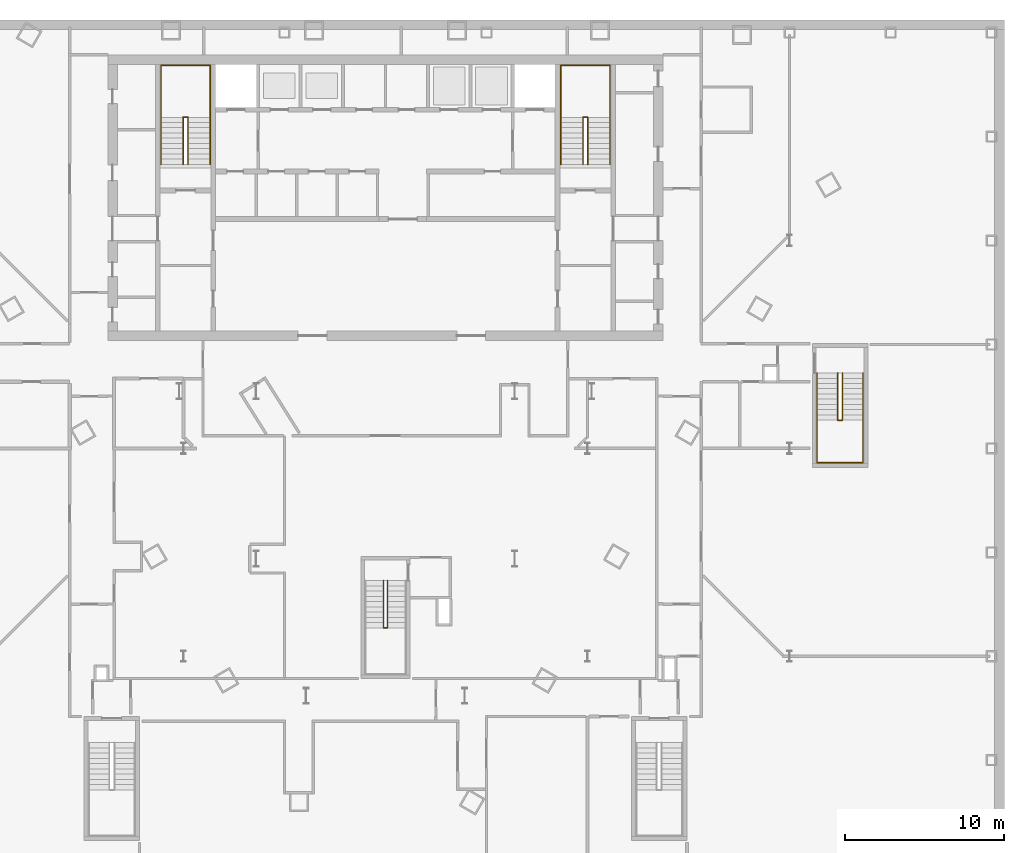
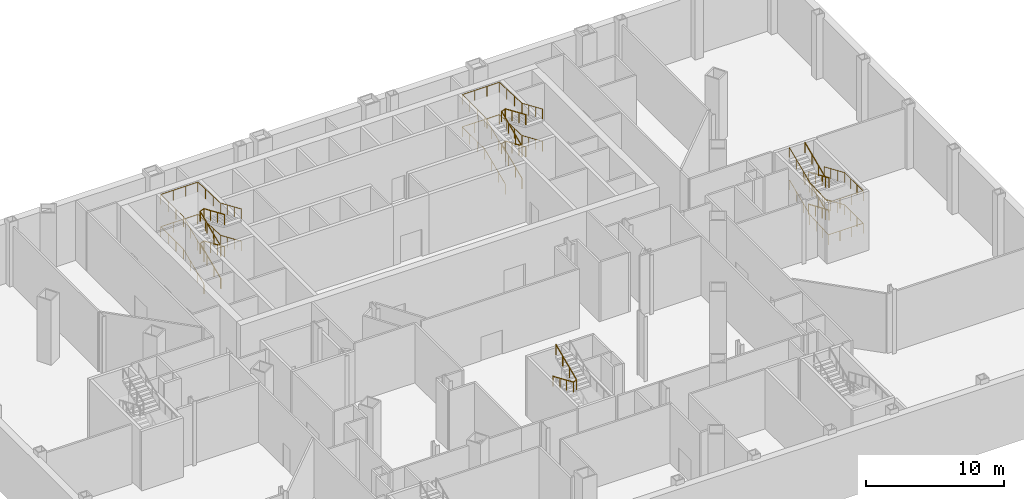
# One storey, part 17 of 18: 13 railings.
"""IFC4 building model written with IfcOpenShell, lengths in metres."""

from ifc_helpers import new_model, si_unit, direction, frame, origin, origin_2d, place, context, subcontext, project, spatial, circle, extrude, material, type_object, element, save


model = new_model("IFC4")

# Units and contexts
model_context = context("Model", 3, precision=1e-05, world=origin(), true_north=direction((0.0, 1.0)))
body_context = subcontext(model_context, "Body", "Model", "MODEL_VIEW")
ifc_project = project(units=[si_unit("LENGTHUNIT", "METRE"), si_unit("AREAUNIT", "SQUARE_METRE"), si_unit("VOLUMEUNIT", "CUBIC_METRE"), si_unit("PLANEANGLEUNIT", "RADIAN"), si_unit("MASSUNIT", "GRAM", prefix="KILO")], contexts=[model_context])

# Site, building, storey
site_placement = place(None, origin())
site = spatial("IfcSite", under=ifc_project, at=site_placement, CompositionType="ELEMENT")
building_placement = place(site_placement, origin())
building = spatial("IfcBuilding", under=site, at=building_placement, Name="Njiva Tower", CompositionType="ELEMENT")
storey_placement = place(building_placement, frame((0.0, 0.0, -5.7)))
storey = spatial("IfcBuildingStorey", under=building, at=storey_placement, Name="B1", CompositionType="ELEMENT", Elevation=-5.7)

# Railings
ifc_material = material(Name="Stainless steel", Category="steel")
railing_type = type_object("IfcRailingType", Name="RL1 Stair handrail 900", PredefinedType="HANDRAIL", material=ifc_material)
railing_1_placement = place(storey_placement, frame((-14.15, 11.1, 0.1425)))
element("IfcRailing", 1, at=railing_1_placement, inside=storey, type_object=railing_type, Name="Stair A handrail", PredefinedType="HANDRAIL", context=body_context, shape_type="SweptSolid", body=[
    extrude(circle(Radius=0.024, at=origin_2d()), frame((0.0, 0.0, 0.876), z_axis=(0.0, 0.918062353536, 0.3964360163), x_axis=(-1.0, 0.0, 0.0)), (0.0, 0.0, 1.0), 3.2351),
    extrude(circle(Radius=0.024, at=origin_2d()), frame((0.0, 2.97, 2.1585), z_axis=(0.0, 1.0, 0.0), x_axis=(-1.0, 0.0, 0.0)), (0.0, 0.0, 1.0), 3.28),
    extrude(circle(Radius=0.024, at=origin_2d()), frame((0.0, 6.25, 2.1585), z_axis=(1.0, 0.0, 0.0), x_axis=(0.0, 1.0, 0.0)), (0.0, 0.0, 1.0), 3.1),
    extrude(circle(Radius=0.024, at=origin_2d()), frame((3.1, 6.25, 2.1585), z_axis=(0.0, -0.999057594557, 0.043404179032), x_axis=(1.0, 0.0, 0.0)), (0.0, 0.0, 1.0), 3.2831),
    extrude(circle(Radius=0.024, at=origin_2d()), frame((3.1, 2.97, 2.301), z_axis=(0.0, -0.918062353536, 0.3964360163), x_axis=(1.0, 0.0, 0.0)), (0.0, 0.0, 1.0), 3.2351),
    extrude(circle(Radius=0.021, at=origin_2d()), origin(), (0.0, 0.0, 1.0), 0.852),
    extrude(circle(Radius=0.021, at=origin_2d()), frame((0.0, 0.99, 0.4275)), (0.0, 0.0, 1.0), 0.852),
    extrude(circle(Radius=0.021, at=origin_2d()), frame((0.0, 1.98, 0.855)), (0.0, 0.0, 1.0), 0.852),
    extrude(circle(Radius=0.021, at=origin_2d()), frame((0.0, 2.97, 1.2825)), (0.0, 0.0, 1.0), 0.852),
    extrude(circle(Radius=0.021, at=origin_2d()), frame((0.0, 4.0633, 1.2825)), (0.0, 0.0, 1.0), 0.852),
    extrude(circle(Radius=0.021, at=origin_2d()), frame((0.0, 5.1567, 1.2825)), (0.0, 0.0, 1.0), 0.852),
    extrude(circle(Radius=0.021, at=origin_2d()), frame((0.0, 6.25, 1.2825)), (0.0, 0.0, 1.0), 0.852),
    extrude(circle(Radius=0.021, at=origin_2d()), frame((1.0333, 6.25, 1.2825)), (0.0, 0.0, 1.0), 0.852),
    extrude(circle(Radius=0.021, at=origin_2d()), frame((2.0667, 6.25, 1.2825)), (0.0, 0.0, 1.0), 0.852),
    extrude(circle(Radius=0.021, at=origin_2d()), frame((3.1, 6.25, 1.2825)), (0.0, 0.0, 1.0), 0.852),
    extrude(circle(Radius=0.021, at=origin_2d()), frame((3.1, 5.1567, 1.33)), (0.0, 0.0, 1.0), 0.852),
    extrude(circle(Radius=0.021, at=origin_2d()), frame((3.1, 4.0633, 1.3775)), (0.0, 0.0, 1.0), 0.852),
    extrude(circle(Radius=0.021, at=origin_2d()), frame((3.1, 2.97, 1.425)), (0.0, 0.0, 1.0), 0.852),
    extrude(circle(Radius=0.021, at=origin_2d()), frame((3.1, 1.98, 1.8525)), (0.0, 0.0, 1.0), 0.852),
    extrude(circle(Radius=0.021, at=origin_2d()), frame((3.1, 0.99, 2.28)), (0.0, 0.0, 1.0), 0.852),
    extrude(circle(Radius=0.021, at=origin_2d()), frame((3.1, 0.0, 2.7075)), (0.0, 0.0, 1.0), 0.852),
])
railing_2_placement = place(storey_placement, frame((-12.75, 11.1, 0.1425)))
element("IfcRailing", 2, at=railing_2_placement, inside=storey, type_object=railing_type, Name="Stair A handrail", PredefinedType="HANDRAIL", context=body_context, shape_type="SweptSolid", body=[
    extrude(circle(Radius=0.024, at=origin_2d()), frame((0.0, 0.0, 0.876), z_axis=(0.0, 0.918062353536, 0.3964360163), x_axis=(-1.0, 0.0, 0.0)), (0.0, 0.0, 1.0), 3.2351),
    extrude(circle(Radius=0.024, at=origin_2d()), frame((0.0, 2.97, 2.1585), z_axis=(0.903277504354, 0.0, 0.429056814568), x_axis=(0.0, 1.0, 0.0)), (0.0, 0.0, 1.0), 0.3321),
    extrude(circle(Radius=0.024, at=origin_2d()), frame((0.3, 2.97, 2.301), z_axis=(0.0, -0.918062353536, 0.3964360163), x_axis=(1.0, 0.0, 0.0)), (0.0, 0.0, 1.0), 3.2351),
    extrude(circle(Radius=0.021, at=origin_2d()), origin(), (0.0, 0.0, 1.0), 0.852),
    extrude(circle(Radius=0.021, at=origin_2d()), frame((0.0, 0.99, 0.4275)), (0.0, 0.0, 1.0), 0.852),
    extrude(circle(Radius=0.021, at=origin_2d()), frame((0.0, 1.98, 0.855)), (0.0, 0.0, 1.0), 0.852),
    extrude(circle(Radius=0.021, at=origin_2d()), frame((0.0, 2.97, 1.2825)), (0.0, 0.0, 1.0), 0.852),
    extrude(circle(Radius=0.021, at=origin_2d()), frame((0.3, 2.97, 1.425)), (0.0, 0.0, 1.0), 0.852),
    extrude(circle(Radius=0.021, at=origin_2d()), frame((0.3, 1.98, 1.8525)), (0.0, 0.0, 1.0), 0.852),
    extrude(circle(Radius=0.021, at=origin_2d()), frame((0.3, 0.99, 2.28)), (0.0, 0.0, 1.0), 0.852),
    extrude(circle(Radius=0.021, at=origin_2d()), frame((0.3, 0.0, 2.7075)), (0.0, 0.0, 1.0), 0.852),
])
railing_3_placement = place(storey_placement, frame((-14.15, 11.1, 2.9925)))
element("IfcRailing", 3, at=railing_3_placement, inside=storey, type_object=railing_type, Name="Stair A handrail", PredefinedType="HANDRAIL", context=body_context, shape_type="SweptSolid", body=[
    extrude(circle(Radius=0.024, at=origin_2d()), frame((0.0, 0.0, 0.876), z_axis=(0.0, 0.918062353536, 0.3964360163), x_axis=(-1.0, 0.0, 0.0)), (0.0, 0.0, 1.0), 3.2351),
    extrude(circle(Radius=0.024, at=origin_2d()), frame((0.0, 2.97, 2.1585), z_axis=(0.0, 1.0, 0.0), x_axis=(-1.0, 0.0, 0.0)), (0.0, 0.0, 1.0), 3.28),
    extrude(circle(Radius=0.024, at=origin_2d()), frame((0.0, 6.25, 2.1585), z_axis=(1.0, 0.0, 0.0), x_axis=(0.0, 1.0, 0.0)), (0.0, 0.0, 1.0), 3.1),
    extrude(circle(Radius=0.024, at=origin_2d()), frame((3.1, 6.25, 2.1585), z_axis=(0.0, -0.999057594557, 0.043404179032), x_axis=(1.0, 0.0, 0.0)), (0.0, 0.0, 1.0), 3.2831),
    extrude(circle(Radius=0.024, at=origin_2d()), frame((3.1, 2.97, 2.301), z_axis=(0.0, -0.918062353536, 0.3964360163), x_axis=(1.0, 0.0, 0.0)), (0.0, 0.0, 1.0), 3.2351),
    extrude(circle(Radius=0.021, at=origin_2d()), origin(), (0.0, 0.0, 1.0), 0.852),
    extrude(circle(Radius=0.021, at=origin_2d()), frame((0.0, 0.99, 0.4275)), (0.0, 0.0, 1.0), 0.852),
    extrude(circle(Radius=0.021, at=origin_2d()), frame((0.0, 1.98, 0.855)), (0.0, 0.0, 1.0), 0.852),
    extrude(circle(Radius=0.021, at=origin_2d()), frame((0.0, 2.97, 1.2825)), (0.0, 0.0, 1.0), 0.852),
    extrude(circle(Radius=0.021, at=origin_2d()), frame((0.0, 4.0633, 1.2825)), (0.0, 0.0, 1.0), 0.852),
    extrude(circle(Radius=0.021, at=origin_2d()), frame((0.0, 5.1567, 1.2825)), (0.0, 0.0, 1.0), 0.852),
    extrude(circle(Radius=0.021, at=origin_2d()), frame((0.0, 6.25, 1.2825)), (0.0, 0.0, 1.0), 0.852),
    extrude(circle(Radius=0.021, at=origin_2d()), frame((1.0333, 6.25, 1.2825)), (0.0, 0.0, 1.0), 0.852),
    extrude(circle(Radius=0.021, at=origin_2d()), frame((2.0667, 6.25, 1.2825)), (0.0, 0.0, 1.0), 0.852),
    extrude(circle(Radius=0.021, at=origin_2d()), frame((3.1, 6.25, 1.2825)), (0.0, 0.0, 1.0), 0.852),
    extrude(circle(Radius=0.021, at=origin_2d()), frame((3.1, 5.1567, 1.33)), (0.0, 0.0, 1.0), 0.852),
    extrude(circle(Radius=0.021, at=origin_2d()), frame((3.1, 4.0633, 1.3775)), (0.0, 0.0, 1.0), 0.852),
    extrude(circle(Radius=0.021, at=origin_2d()), frame((3.1, 2.97, 1.425)), (0.0, 0.0, 1.0), 0.852),
    extrude(circle(Radius=0.021, at=origin_2d()), frame((3.1, 1.98, 1.8525)), (0.0, 0.0, 1.0), 0.852),
    extrude(circle(Radius=0.021, at=origin_2d()), frame((3.1, 0.99, 2.28)), (0.0, 0.0, 1.0), 0.852),
    extrude(circle(Radius=0.021, at=origin_2d()), frame((3.1, 0.0, 2.7075)), (0.0, 0.0, 1.0), 0.852),
])
railing_4_placement = place(storey_placement, frame((-12.75, 11.1, 2.9925)))
element("IfcRailing", 4, at=railing_4_placement, inside=storey, type_object=railing_type, Name="Stair A handrail", PredefinedType="HANDRAIL", context=body_context, shape_type="SweptSolid", body=[
    extrude(circle(Radius=0.024, at=origin_2d()), frame((0.0, 0.0, 0.876), z_axis=(0.0, 0.918062353536, 0.3964360163), x_axis=(-1.0, 0.0, 0.0)), (0.0, 0.0, 1.0), 3.2351),
    extrude(circle(Radius=0.024, at=origin_2d()), frame((0.0, 2.97, 2.1585), z_axis=(0.903277504354, 0.0, 0.429056814568), x_axis=(0.0, 1.0, 0.0)), (0.0, 0.0, 1.0), 0.3321),
    extrude(circle(Radius=0.024, at=origin_2d()), frame((0.3, 2.97, 2.301), z_axis=(0.0, -0.918062353536, 0.3964360163), x_axis=(1.0, 0.0, 0.0)), (0.0, 0.0, 1.0), 3.2351),
    extrude(circle(Radius=0.021, at=origin_2d()), origin(), (0.0, 0.0, 1.0), 0.852),
    extrude(circle(Radius=0.021, at=origin_2d()), frame((0.0, 0.99, 0.4275)), (0.0, 0.0, 1.0), 0.852),
    extrude(circle(Radius=0.021, at=origin_2d()), frame((0.0, 1.98, 0.855)), (0.0, 0.0, 1.0), 0.852),
    extrude(circle(Radius=0.021, at=origin_2d()), frame((0.0, 2.97, 1.2825)), (0.0, 0.0, 1.0), 0.852),
    extrude(circle(Radius=0.021, at=origin_2d()), frame((0.3, 2.97, 1.425)), (0.0, 0.0, 1.0), 0.852),
    extrude(circle(Radius=0.021, at=origin_2d()), frame((0.3, 1.98, 1.8525)), (0.0, 0.0, 1.0), 0.852),
    extrude(circle(Radius=0.021, at=origin_2d()), frame((0.3, 0.99, 2.28)), (0.0, 0.0, 1.0), 0.852),
    extrude(circle(Radius=0.021, at=origin_2d()), frame((0.3, 0.0, 2.7075)), (0.0, 0.0, 1.0), 0.852),
])
railing_5_placement = place(storey_placement, frame((11.05, 11.1, 0.1425)))
element("IfcRailing", 5, at=railing_5_placement, inside=storey, type_object=railing_type, Name="Stair B handrail", PredefinedType="HANDRAIL", context=body_context, shape_type="SweptSolid", body=[
    extrude(circle(Radius=0.024, at=origin_2d()), frame((0.0, 0.0, 0.876), z_axis=(0.0, 0.918062353536, 0.3964360163), x_axis=(-1.0, 0.0, 0.0)), (0.0, 0.0, 1.0), 3.2351),
    extrude(circle(Radius=0.024, at=origin_2d()), frame((0.0, 2.97, 2.1585), z_axis=(0.0, 1.0, 0.0), x_axis=(-1.0, 0.0, 0.0)), (0.0, 0.0, 1.0), 3.28),
    extrude(circle(Radius=0.024, at=origin_2d()), frame((0.0, 6.25, 2.1585), z_axis=(1.0, 0.0, 0.0), x_axis=(0.0, 1.0, 0.0)), (0.0, 0.0, 1.0), 3.1),
    extrude(circle(Radius=0.024, at=origin_2d()), frame((3.1, 6.25, 2.1585), z_axis=(0.0, -0.999057594557, 0.043404179032), x_axis=(1.0, 0.0, 0.0)), (0.0, 0.0, 1.0), 3.2831),
    extrude(circle(Radius=0.024, at=origin_2d()), frame((3.1, 2.97, 2.301), z_axis=(0.0, -0.918062353536, 0.3964360163), x_axis=(1.0, 0.0, 0.0)), (0.0, 0.0, 1.0), 3.2351),
    extrude(circle(Radius=0.021, at=origin_2d()), origin(), (0.0, 0.0, 1.0), 0.852),
    extrude(circle(Radius=0.021, at=origin_2d()), frame((0.0, 0.99, 0.4275)), (0.0, 0.0, 1.0), 0.852),
    extrude(circle(Radius=0.021, at=origin_2d()), frame((0.0, 1.98, 0.855)), (0.0, 0.0, 1.0), 0.852),
    extrude(circle(Radius=0.021, at=origin_2d()), frame((0.0, 2.97, 1.2825)), (0.0, 0.0, 1.0), 0.852),
    extrude(circle(Radius=0.021, at=origin_2d()), frame((0.0, 4.0633, 1.2825)), (0.0, 0.0, 1.0), 0.852),
    extrude(circle(Radius=0.021, at=origin_2d()), frame((0.0, 5.1567, 1.2825)), (0.0, 0.0, 1.0), 0.852),
    extrude(circle(Radius=0.021, at=origin_2d()), frame((0.0, 6.25, 1.2825)), (0.0, 0.0, 1.0), 0.852),
    extrude(circle(Radius=0.021, at=origin_2d()), frame((1.0333, 6.25, 1.2825)), (0.0, 0.0, 1.0), 0.852),
    extrude(circle(Radius=0.021, at=origin_2d()), frame((2.0667, 6.25, 1.2825)), (0.0, 0.0, 1.0), 0.852),
    extrude(circle(Radius=0.021, at=origin_2d()), frame((3.1, 6.25, 1.2825)), (0.0, 0.0, 1.0), 0.852),
    extrude(circle(Radius=0.021, at=origin_2d()), frame((3.1, 5.1567, 1.33)), (0.0, 0.0, 1.0), 0.852),
    extrude(circle(Radius=0.021, at=origin_2d()), frame((3.1, 4.0633, 1.3775)), (0.0, 0.0, 1.0), 0.852),
    extrude(circle(Radius=0.021, at=origin_2d()), frame((3.1, 2.97, 1.425)), (0.0, 0.0, 1.0), 0.852),
    extrude(circle(Radius=0.021, at=origin_2d()), frame((3.1, 1.98, 1.8525)), (0.0, 0.0, 1.0), 0.852),
    extrude(circle(Radius=0.021, at=origin_2d()), frame((3.1, 0.99, 2.28)), (0.0, 0.0, 1.0), 0.852),
    extrude(circle(Radius=0.021, at=origin_2d()), frame((3.1, 0.0, 2.7075)), (0.0, 0.0, 1.0), 0.852),
])
railing_6_placement = place(storey_placement, frame((12.45, 11.1, 0.1425)))
element("IfcRailing", 6, at=railing_6_placement, inside=storey, type_object=railing_type, Name="Stair B handrail", PredefinedType="HANDRAIL", context=body_context, shape_type="SweptSolid", body=[
    extrude(circle(Radius=0.024, at=origin_2d()), frame((0.0, 0.0, 0.876), z_axis=(0.0, 0.918062353536, 0.3964360163), x_axis=(-1.0, 0.0, 0.0)), (0.0, 0.0, 1.0), 3.2351),
    extrude(circle(Radius=0.024, at=origin_2d()), frame((0.0, 2.97, 2.1585), z_axis=(0.903277504354, 0.0, 0.429056814568), x_axis=(0.0, 1.0, 0.0)), (0.0, 0.0, 1.0), 0.3321),
    extrude(circle(Radius=0.024, at=origin_2d()), frame((0.3, 2.97, 2.301), z_axis=(0.0, -0.918062353536, 0.3964360163), x_axis=(1.0, 0.0, 0.0)), (0.0, 0.0, 1.0), 3.2351),
    extrude(circle(Radius=0.021, at=origin_2d()), origin(), (0.0, 0.0, 1.0), 0.852),
    extrude(circle(Radius=0.021, at=origin_2d()), frame((0.0, 0.99, 0.4275)), (0.0, 0.0, 1.0), 0.852),
    extrude(circle(Radius=0.021, at=origin_2d()), frame((0.0, 1.98, 0.855)), (0.0, 0.0, 1.0), 0.852),
    extrude(circle(Radius=0.021, at=origin_2d()), frame((0.0, 2.97, 1.2825)), (0.0, 0.0, 1.0), 0.852),
    extrude(circle(Radius=0.021, at=origin_2d()), frame((0.3, 2.97, 1.425)), (0.0, 0.0, 1.0), 0.852),
    extrude(circle(Radius=0.021, at=origin_2d()), frame((0.3, 1.98, 1.8525)), (0.0, 0.0, 1.0), 0.852),
    extrude(circle(Radius=0.021, at=origin_2d()), frame((0.3, 0.99, 2.28)), (0.0, 0.0, 1.0), 0.852),
    extrude(circle(Radius=0.021, at=origin_2d()), frame((0.3, 0.0, 2.7075)), (0.0, 0.0, 1.0), 0.852),
])
railing_7_placement = place(storey_placement, frame((11.05, 11.1, 2.9925)))
element("IfcRailing", 7, at=railing_7_placement, inside=storey, type_object=railing_type, Name="Stair B handrail", PredefinedType="HANDRAIL", context=body_context, shape_type="SweptSolid", body=[
    extrude(circle(Radius=0.024, at=origin_2d()), frame((0.0, 0.0, 0.876), z_axis=(0.0, 0.918062353536, 0.3964360163), x_axis=(-1.0, 0.0, 0.0)), (0.0, 0.0, 1.0), 3.2351),
    extrude(circle(Radius=0.024, at=origin_2d()), frame((0.0, 2.97, 2.1585), z_axis=(0.0, 1.0, 0.0), x_axis=(-1.0, 0.0, 0.0)), (0.0, 0.0, 1.0), 3.28),
    extrude(circle(Radius=0.024, at=origin_2d()), frame((0.0, 6.25, 2.1585), z_axis=(1.0, 0.0, 0.0), x_axis=(0.0, 1.0, 0.0)), (0.0, 0.0, 1.0), 3.1),
    extrude(circle(Radius=0.024, at=origin_2d()), frame((3.1, 6.25, 2.1585), z_axis=(0.0, -0.999057594557, 0.043404179032), x_axis=(1.0, 0.0, 0.0)), (0.0, 0.0, 1.0), 3.2831),
    extrude(circle(Radius=0.024, at=origin_2d()), frame((3.1, 2.97, 2.301), z_axis=(0.0, -0.918062353536, 0.3964360163), x_axis=(1.0, 0.0, 0.0)), (0.0, 0.0, 1.0), 3.2351),
    extrude(circle(Radius=0.021, at=origin_2d()), origin(), (0.0, 0.0, 1.0), 0.852),
    extrude(circle(Radius=0.021, at=origin_2d()), frame((0.0, 0.99, 0.4275)), (0.0, 0.0, 1.0), 0.852),
    extrude(circle(Radius=0.021, at=origin_2d()), frame((0.0, 1.98, 0.855)), (0.0, 0.0, 1.0), 0.852),
    extrude(circle(Radius=0.021, at=origin_2d()), frame((0.0, 2.97, 1.2825)), (0.0, 0.0, 1.0), 0.852),
    extrude(circle(Radius=0.021, at=origin_2d()), frame((0.0, 4.0633, 1.2825)), (0.0, 0.0, 1.0), 0.852),
    extrude(circle(Radius=0.021, at=origin_2d()), frame((0.0, 5.1567, 1.2825)), (0.0, 0.0, 1.0), 0.852),
    extrude(circle(Radius=0.021, at=origin_2d()), frame((0.0, 6.25, 1.2825)), (0.0, 0.0, 1.0), 0.852),
    extrude(circle(Radius=0.021, at=origin_2d()), frame((1.0333, 6.25, 1.2825)), (0.0, 0.0, 1.0), 0.852),
    extrude(circle(Radius=0.021, at=origin_2d()), frame((2.0667, 6.25, 1.2825)), (0.0, 0.0, 1.0), 0.852),
    extrude(circle(Radius=0.021, at=origin_2d()), frame((3.1, 6.25, 1.2825)), (0.0, 0.0, 1.0), 0.852),
    extrude(circle(Radius=0.021, at=origin_2d()), frame((3.1, 5.1567, 1.33)), (0.0, 0.0, 1.0), 0.852),
    extrude(circle(Radius=0.021, at=origin_2d()), frame((3.1, 4.0633, 1.3775)), (0.0, 0.0, 1.0), 0.852),
    extrude(circle(Radius=0.021, at=origin_2d()), frame((3.1, 2.97, 1.425)), (0.0, 0.0, 1.0), 0.852),
    extrude(circle(Radius=0.021, at=origin_2d()), frame((3.1, 1.98, 1.8525)), (0.0, 0.0, 1.0), 0.852),
    extrude(circle(Radius=0.021, at=origin_2d()), frame((3.1, 0.99, 2.28)), (0.0, 0.0, 1.0), 0.852),
    extrude(circle(Radius=0.021, at=origin_2d()), frame((3.1, 0.0, 2.7075)), (0.0, 0.0, 1.0), 0.852),
])
railing_8_placement = place(storey_placement, frame((12.45, 11.1, 2.9925)))
element("IfcRailing", 8, at=railing_8_placement, inside=storey, type_object=railing_type, Name="Stair B handrail", PredefinedType="HANDRAIL", context=body_context, shape_type="SweptSolid", body=[
    extrude(circle(Radius=0.024, at=origin_2d()), frame((0.0, 0.0, 0.876), z_axis=(0.0, 0.918062353536, 0.3964360163), x_axis=(-1.0, 0.0, 0.0)), (0.0, 0.0, 1.0), 3.2351),
    extrude(circle(Radius=0.024, at=origin_2d()), frame((0.0, 2.97, 2.1585), z_axis=(0.903277504354, 0.0, 0.429056814568), x_axis=(0.0, 1.0, 0.0)), (0.0, 0.0, 1.0), 0.3321),
    extrude(circle(Radius=0.024, at=origin_2d()), frame((0.3, 2.97, 2.301), z_axis=(0.0, -0.918062353536, 0.3964360163), x_axis=(1.0, 0.0, 0.0)), (0.0, 0.0, 1.0), 3.2351),
    extrude(circle(Radius=0.021, at=origin_2d()), origin(), (0.0, 0.0, 1.0), 0.852),
    extrude(circle(Radius=0.021, at=origin_2d()), frame((0.0, 0.99, 0.4275)), (0.0, 0.0, 1.0), 0.852),
    extrude(circle(Radius=0.021, at=origin_2d()), frame((0.0, 1.98, 0.855)), (0.0, 0.0, 1.0), 0.852),
    extrude(circle(Radius=0.021, at=origin_2d()), frame((0.0, 2.97, 1.2825)), (0.0, 0.0, 1.0), 0.852),
    extrude(circle(Radius=0.021, at=origin_2d()), frame((0.3, 2.97, 1.425)), (0.0, 0.0, 1.0), 0.852),
    extrude(circle(Radius=0.021, at=origin_2d()), frame((0.3, 1.98, 1.8525)), (0.0, 0.0, 1.0), 0.852),
    extrude(circle(Radius=0.021, at=origin_2d()), frame((0.3, 0.99, 2.28)), (0.0, 0.0, 1.0), 0.852),
    extrude(circle(Radius=0.021, at=origin_2d()), frame((0.3, 0.0, 2.7075)), (0.0, 0.0, 1.0), 0.852),
])
railing_9_placement = place(storey_placement, frame((-0.125, -15.135, 2.9925)))
element("IfcRailing", 9, at=railing_9_placement, inside=storey, type_object=railing_type, Name="Stair C handrail", PredefinedType="HANDRAIL", context=body_context, shape_type="SweptSolid", body=[
    extrude(circle(Radius=0.024, at=origin_2d()), frame((0.0, 0.0, 0.876), z_axis=(0.0, -0.918062353536, 0.3964360163), x_axis=(1.0, 0.0, 0.0)), (0.0, 0.0, 1.0), 3.2351),
    extrude(circle(Radius=0.024, at=origin_2d()), frame((0.0, -2.97, 2.1585), z_axis=(0.868777270193, 0.0, 0.49520304401), x_axis=(0.0, 1.0, 0.0)), (0.0, 0.0, 1.0), 0.2878),
    extrude(circle(Radius=0.024, at=origin_2d()), frame((0.25, -2.97, 2.301), z_axis=(0.0, 0.918062353536, 0.3964360163), x_axis=(-1.0, 0.0, 0.0)), (0.0, 0.0, 1.0), 3.2351),
    extrude(circle(Radius=0.021, at=origin_2d()), origin(), (0.0, 0.0, 1.0), 0.852),
    extrude(circle(Radius=0.021, at=origin_2d()), frame((0.0, -0.99, 0.4275)), (0.0, 0.0, 1.0), 0.852),
    extrude(circle(Radius=0.021, at=origin_2d()), frame((0.0, -1.98, 0.855)), (0.0, 0.0, 1.0), 0.852),
    extrude(circle(Radius=0.021, at=origin_2d()), frame((0.0, -2.97, 1.2825)), (0.0, 0.0, 1.0), 0.852),
    extrude(circle(Radius=0.021, at=origin_2d()), frame((0.25, -2.97, 1.425)), (0.0, 0.0, 1.0), 0.852),
    extrude(circle(Radius=0.021, at=origin_2d()), frame((0.25, -1.98, 1.8525)), (0.0, 0.0, 1.0), 0.852),
    extrude(circle(Radius=0.021, at=origin_2d()), frame((0.25, -0.99, 2.28)), (0.0, 0.0, 1.0), 0.852),
    extrude(circle(Radius=0.021, at=origin_2d()), frame((0.25, 0.0, 2.7075)), (0.0, 0.0, 1.0), 0.852),
])
railing_10_placement = place(storey_placement, frame((30.1, -2.05, 0.1425)))
element("IfcRailing", 10, at=railing_10_placement, inside=storey, type_object=railing_type, Name="Stair G handrail", PredefinedType="HANDRAIL", context=body_context, shape_type="SweptSolid", body=[
    extrude(circle(Radius=0.024, at=origin_2d()), frame((0.0, 0.0, 0.876), z_axis=(0.0, -0.918062353536, 0.3964360163), x_axis=(1.0, 0.0, 0.0)), (0.0, 0.0, 1.0), 3.2351),
    extrude(circle(Radius=0.024, at=origin_2d()), frame((0.0, -2.97, 2.1585), z_axis=(0.0, -1.0, 0.0), x_axis=(1.0, 0.0, 0.0)), (0.0, 0.0, 1.0), 2.68),
    extrude(circle(Radius=0.024, at=origin_2d()), frame((0.0, -5.65, 2.1585), z_axis=(-1.0, 0.0, 0.0), x_axis=(0.0, -1.0, 0.0)), (0.0, 0.0, 1.0), 2.9),
    extrude(circle(Radius=0.024, at=origin_2d()), frame((-2.9, -5.65, 2.1585), z_axis=(0.0, 0.998589378657, 0.053096636738), x_axis=(-1.0, 0.0, 0.0)), (0.0, 0.0, 1.0), 2.6838),
    extrude(circle(Radius=0.024, at=origin_2d()), frame((-2.9, -2.97, 2.301), z_axis=(0.0, 0.918062353536, 0.3964360163), x_axis=(-1.0, 0.0, 0.0)), (0.0, 0.0, 1.0), 3.2351),
    extrude(circle(Radius=0.021, at=origin_2d()), origin(), (0.0, 0.0, 1.0), 0.852),
    extrude(circle(Radius=0.021, at=origin_2d()), frame((0.0, -0.99, 0.4275)), (0.0, 0.0, 1.0), 0.852),
    extrude(circle(Radius=0.021, at=origin_2d()), frame((0.0, -1.98, 0.855)), (0.0, 0.0, 1.0), 0.852),
    extrude(circle(Radius=0.021, at=origin_2d()), frame((0.0, -2.97, 1.2825)), (0.0, 0.0, 1.0), 0.852),
    extrude(circle(Radius=0.021, at=origin_2d()), frame((0.0, -3.8633, 1.2825)), (0.0, 0.0, 1.0), 0.852),
    extrude(circle(Radius=0.021, at=origin_2d()), frame((0.0, -4.7567, 1.2825)), (0.0, 0.0, 1.0), 0.852),
    extrude(circle(Radius=0.021, at=origin_2d()), frame((0.0, -5.65, 1.2825)), (0.0, 0.0, 1.0), 0.852),
    extrude(circle(Radius=0.021, at=origin_2d()), frame((-0.9667, -5.65, 1.2825)), (0.0, 0.0, 1.0), 0.852),
    extrude(circle(Radius=0.021, at=origin_2d()), frame((-1.9333, -5.65, 1.2825)), (0.0, 0.0, 1.0), 0.852),
    extrude(circle(Radius=0.021, at=origin_2d()), frame((-2.9, -5.65, 1.2825)), (0.0, 0.0, 1.0), 0.852),
    extrude(circle(Radius=0.021, at=origin_2d()), frame((-2.9, -4.7567, 1.33)), (0.0, 0.0, 1.0), 0.852),
    extrude(circle(Radius=0.021, at=origin_2d()), frame((-2.9, -3.8633, 1.3775)), (0.0, 0.0, 1.0), 0.852),
    extrude(circle(Radius=0.021, at=origin_2d()), frame((-2.9, -2.97, 1.425)), (0.0, 0.0, 1.0), 0.852),
    extrude(circle(Radius=0.021, at=origin_2d()), frame((-2.9, -1.98, 1.8525)), (0.0, 0.0, 1.0), 0.852),
    extrude(circle(Radius=0.021, at=origin_2d()), frame((-2.9, -0.99, 2.28)), (0.0, 0.0, 1.0), 0.852),
    extrude(circle(Radius=0.021, at=origin_2d()), frame((-2.9, 0.0, 2.7075)), (0.0, 0.0, 1.0), 0.852),
])
railing_11_placement = place(storey_placement, frame((28.8, -2.05, 0.1425)))
element("IfcRailing", 11, at=railing_11_placement, inside=storey, type_object=railing_type, Name="Stair G handrail", PredefinedType="HANDRAIL", context=body_context, shape_type="SweptSolid", body=[
    extrude(circle(Radius=0.024, at=origin_2d()), frame((0.0, 0.0, 0.876), z_axis=(0.0, -0.918062353536, 0.3964360163), x_axis=(1.0, 0.0, 0.0)), (0.0, 0.0, 1.0), 3.2351),
    extrude(circle(Radius=0.024, at=origin_2d()), frame((0.0, -2.97, 2.1585), z_axis=(-0.903277504354, 0.0, 0.429056814568), x_axis=(0.0, -1.0, 0.0)), (0.0, 0.0, 1.0), 0.3321),
    extrude(circle(Radius=0.024, at=origin_2d()), frame((-0.3, -2.97, 2.301), z_axis=(0.0, 0.918062353536, 0.3964360163), x_axis=(-1.0, 0.0, 0.0)), (0.0, 0.0, 1.0), 3.2351),
    extrude(circle(Radius=0.021, at=origin_2d()), origin(), (0.0, 0.0, 1.0), 0.852),
    extrude(circle(Radius=0.021, at=origin_2d()), frame((0.0, -0.99, 0.4275)), (0.0, 0.0, 1.0), 0.852),
    extrude(circle(Radius=0.021, at=origin_2d()), frame((0.0, -1.98, 0.855)), (0.0, 0.0, 1.0), 0.852),
    extrude(circle(Radius=0.021, at=origin_2d()), frame((0.0, -2.97, 1.2825)), (0.0, 0.0, 1.0), 0.852),
    extrude(circle(Radius=0.021, at=origin_2d()), frame((-0.3, -2.97, 1.425)), (0.0, 0.0, 1.0), 0.852),
    extrude(circle(Radius=0.021, at=origin_2d()), frame((-0.3, -1.98, 1.8525)), (0.0, 0.0, 1.0), 0.852),
    extrude(circle(Radius=0.021, at=origin_2d()), frame((-0.3, -0.99, 2.28)), (0.0, 0.0, 1.0), 0.852),
    extrude(circle(Radius=0.021, at=origin_2d()), frame((-0.3, 0.0, 2.7075)), (0.0, 0.0, 1.0), 0.852),
])
railing_12_placement = place(storey_placement, frame((30.1, -2.05, 2.9925)))
element("IfcRailing", 12, at=railing_12_placement, inside=storey, type_object=railing_type, Name="Stair G handrail", PredefinedType="HANDRAIL", context=body_context, shape_type="SweptSolid", body=[
    extrude(circle(Radius=0.024, at=origin_2d()), frame((0.0, 0.0, 0.876), z_axis=(0.0, -0.918062353536, 0.3964360163), x_axis=(1.0, 0.0, 0.0)), (0.0, 0.0, 1.0), 3.2351),
    extrude(circle(Radius=0.024, at=origin_2d()), frame((0.0, -2.97, 2.1585), z_axis=(0.0, -1.0, 0.0), x_axis=(1.0, 0.0, 0.0)), (0.0, 0.0, 1.0), 2.68),
    extrude(circle(Radius=0.024, at=origin_2d()), frame((0.0, -5.65, 2.1585), z_axis=(-1.0, 0.0, 0.0), x_axis=(0.0, -1.0, 0.0)), (0.0, 0.0, 1.0), 2.9),
    extrude(circle(Radius=0.024, at=origin_2d()), frame((-2.9, -5.65, 2.1585), z_axis=(0.0, 0.998589378657, 0.053096636738), x_axis=(-1.0, 0.0, 0.0)), (0.0, 0.0, 1.0), 2.6838),
    extrude(circle(Radius=0.024, at=origin_2d()), frame((-2.9, -2.97, 2.301), z_axis=(0.0, 0.918062353536, 0.3964360163), x_axis=(-1.0, 0.0, 0.0)), (0.0, 0.0, 1.0), 3.2351),
    extrude(circle(Radius=0.021, at=origin_2d()), origin(), (0.0, 0.0, 1.0), 0.852),
    extrude(circle(Radius=0.021, at=origin_2d()), frame((0.0, -0.99, 0.4275)), (0.0, 0.0, 1.0), 0.852),
    extrude(circle(Radius=0.021, at=origin_2d()), frame((0.0, -1.98, 0.855)), (0.0, 0.0, 1.0), 0.852),
    extrude(circle(Radius=0.021, at=origin_2d()), frame((0.0, -2.97, 1.2825)), (0.0, 0.0, 1.0), 0.852),
    extrude(circle(Radius=0.021, at=origin_2d()), frame((0.0, -3.8633, 1.2825)), (0.0, 0.0, 1.0), 0.852),
    extrude(circle(Radius=0.021, at=origin_2d()), frame((0.0, -4.7567, 1.2825)), (0.0, 0.0, 1.0), 0.852),
    extrude(circle(Radius=0.021, at=origin_2d()), frame((0.0, -5.65, 1.2825)), (0.0, 0.0, 1.0), 0.852),
    extrude(circle(Radius=0.021, at=origin_2d()), frame((-0.9667, -5.65, 1.2825)), (0.0, 0.0, 1.0), 0.852),
    extrude(circle(Radius=0.021, at=origin_2d()), frame((-1.9333, -5.65, 1.2825)), (0.0, 0.0, 1.0), 0.852),
    extrude(circle(Radius=0.021, at=origin_2d()), frame((-2.9, -5.65, 1.2825)), (0.0, 0.0, 1.0), 0.852),
    extrude(circle(Radius=0.021, at=origin_2d()), frame((-2.9, -4.7567, 1.33)), (0.0, 0.0, 1.0), 0.852),
    extrude(circle(Radius=0.021, at=origin_2d()), frame((-2.9, -3.8633, 1.3775)), (0.0, 0.0, 1.0), 0.852),
    extrude(circle(Radius=0.021, at=origin_2d()), frame((-2.9, -2.97, 1.425)), (0.0, 0.0, 1.0), 0.852),
    extrude(circle(Radius=0.021, at=origin_2d()), frame((-2.9, -1.98, 1.8525)), (0.0, 0.0, 1.0), 0.852),
    extrude(circle(Radius=0.021, at=origin_2d()), frame((-2.9, -0.99, 2.28)), (0.0, 0.0, 1.0), 0.852),
    extrude(circle(Radius=0.021, at=origin_2d()), frame((-2.9, 0.0, 2.7075)), (0.0, 0.0, 1.0), 0.852),
])
railing_13_placement = place(storey_placement, frame((28.8, -2.05, 2.9925)))
element("IfcRailing", 13, at=railing_13_placement, inside=storey, type_object=railing_type, Name="Stair G handrail", PredefinedType="HANDRAIL", context=body_context, shape_type="SweptSolid", body=[
    extrude(circle(Radius=0.024, at=origin_2d()), frame((0.0, 0.0, 0.876), z_axis=(0.0, -0.918062353536, 0.3964360163), x_axis=(1.0, 0.0, 0.0)), (0.0, 0.0, 1.0), 3.2351),
    extrude(circle(Radius=0.024, at=origin_2d()), frame((0.0, -2.97, 2.1585), z_axis=(-0.903277504354, 0.0, 0.429056814568), x_axis=(0.0, -1.0, 0.0)), (0.0, 0.0, 1.0), 0.3321),
    extrude(circle(Radius=0.024, at=origin_2d()), frame((-0.3, -2.97, 2.301), z_axis=(0.0, 0.918062353536, 0.3964360163), x_axis=(-1.0, 0.0, 0.0)), (0.0, 0.0, 1.0), 3.2351),
    extrude(circle(Radius=0.021, at=origin_2d()), origin(), (0.0, 0.0, 1.0), 0.852),
    extrude(circle(Radius=0.021, at=origin_2d()), frame((0.0, -0.99, 0.4275)), (0.0, 0.0, 1.0), 0.852),
    extrude(circle(Radius=0.021, at=origin_2d()), frame((0.0, -1.98, 0.855)), (0.0, 0.0, 1.0), 0.852),
    extrude(circle(Radius=0.021, at=origin_2d()), frame((0.0, -2.97, 1.2825)), (0.0, 0.0, 1.0), 0.852),
    extrude(circle(Radius=0.021, at=origin_2d()), frame((-0.3, -2.97, 1.425)), (0.0, 0.0, 1.0), 0.852),
    extrude(circle(Radius=0.021, at=origin_2d()), frame((-0.3, -1.98, 1.8525)), (0.0, 0.0, 1.0), 0.852),
    extrude(circle(Radius=0.021, at=origin_2d()), frame((-0.3, -0.99, 2.28)), (0.0, 0.0, 1.0), 0.852),
    extrude(circle(Radius=0.021, at=origin_2d()), frame((-0.3, 0.0, 2.7075)), (0.0, 0.0, 1.0), 0.852),
])

save(model, "model.ifc")
